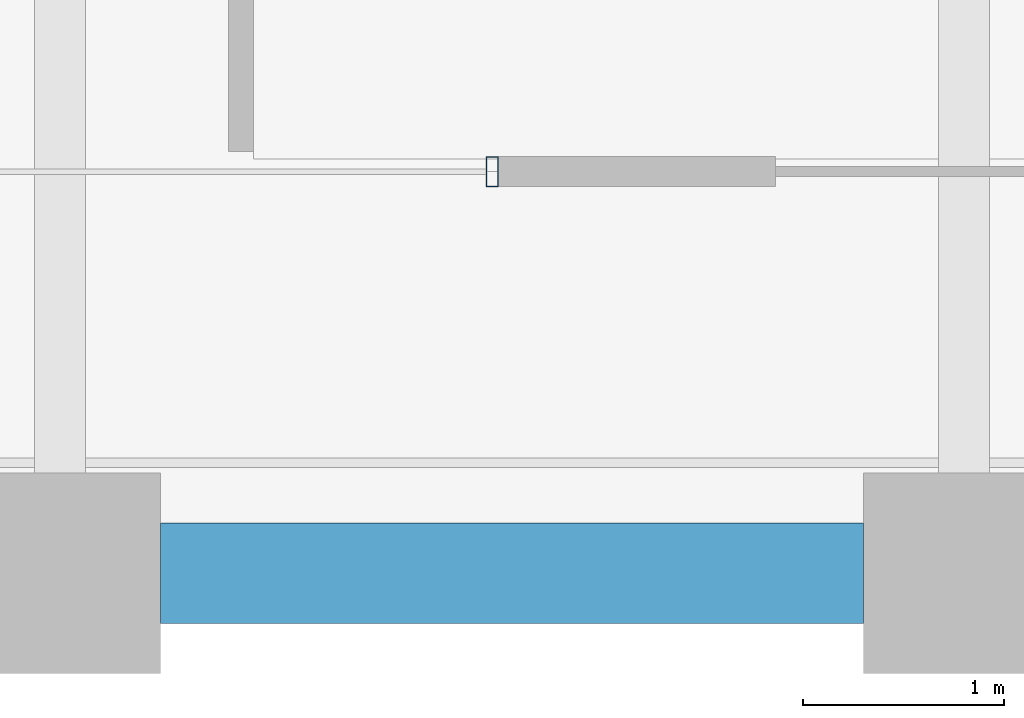
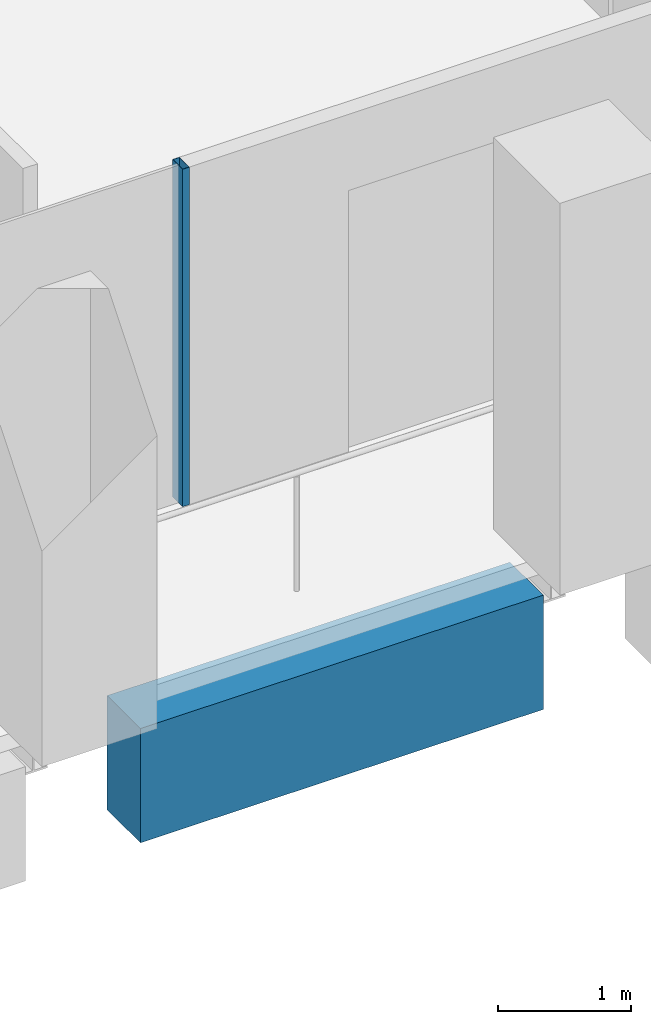
# One storey, part 7 of 46: 1 beam, 1 member, 1 element without a shape of its own.
"""IFC4 building model written with IfcOpenShell, lengths in metres."""

import ifcopenshell
import ifcopenshell.guid

model = None  # the IFC model being written
_history = None  # IfcOwnerHistory: only IFC2X3 demands one
_inside = {}  # id of a spatial element -> (the spatial element, [elements in it])
_under = {}  # id of a project, library or spatial element -> (it, [spatial elements below it])
_declared = {}  # id of a project -> (the project, [libraries it declares])
_typed = {}  # id of a type object -> (the type object, [elements of that type])
_made_of = {}  # id of a material, layer set ... -> (it, [elements and type objects made of it])


def new_model(schema):
    """Start an empty IFC model of exactly this schema.

    Asked for "IFC4X3", IfcOpenShell would pick the latest addendum, in which some entities
    have other attributes; the version numbers below select the first issue.
    IFC2X3 requires an IfcOwnerHistory on every rooted entity: one is made here for all.
    """
    global model, _history
    if schema == "IFC4X3":
        model = ifcopenshell.file(schema_version=(4, 3, 0, 0))
    else:
        model = ifcopenshell.file(schema=schema)
    _inside.clear()
    _under.clear()
    _declared.clear()
    _typed.clear()
    _made_of.clear()
    _history = None
    if model.schema == "IFC2X3":
        org = make("IfcOrganization", Name="unknown")
        user = make(
            "IfcPersonAndOrganization",
            ThePerson=make("IfcPerson", FamilyName="unknown"),
            TheOrganization=org,
        )
        app = make(
            "IfcApplication",
            ApplicationDeveloper=org,
            Version="unknown",
            ApplicationFullName="unknown",
            ApplicationIdentifier="unknown",
        )
        _history = make(
            "IfcOwnerHistory",
            OwningUser=user,
            OwningApplication=app,
            ChangeAction="ADDED",
            CreationDate=0,
        )
    return model


def make(cls, **values):
    """One entity of the class cls with the attributes given. An attribute that is None is left unset."""
    return model.create_entity(
        cls, **{name: value for name, value in values.items() if value is not None}
    )


def rooted(cls, **values):
    """An entity with a GlobalId (a new one), such as an element, a storey or a relation."""
    return make(cls, GlobalId=ifcopenshell.guid.new(), OwnerHistory=_history, **values)


def si_unit(unit_type, name, prefix=None):
    """IfcSIUnit, for example si_unit("LENGTHUNIT", "METRE", prefix="MILLI")."""
    return make("IfcSIUnit", UnitType=unit_type, Prefix=prefix, Name=name)


def assignment(units):
    """IfcUnitAssignment: the units of a project."""
    return None if units is None else make("IfcUnitAssignment", Units=units)


def point(xyz):
    """IfcCartesianPoint."""
    return None if xyz is None else make("IfcCartesianPoint", Coordinates=xyz)


def direction(xyz):
    """IfcDirection."""
    return None if xyz is None else make("IfcDirection", DirectionRatios=xyz)


def frame(location, z_axis=None, x_axis=None):
    """IfcAxis2Placement3D, a coordinate frame: its origin and axes. An axis left out is left unset."""
    return make(
        "IfcAxis2Placement3D",
        Location=point(location),
        Axis=direction(z_axis),
        RefDirection=direction(x_axis),
    )


def frame_2d(location, x_axis=None):
    """IfcAxis2Placement2D, a coordinate frame in the plane: its origin and x axis."""
    return make(
        "IfcAxis2Placement2D", Location=point(location), RefDirection=direction(x_axis)
    )


def origin():
    """The frame at (0, 0, 0) with its axes left unset."""
    return frame((0.0, 0.0, 0.0))


def origin_2d():
    """The frame at (0, 0) in the plane with its x axis left unset."""
    return frame_2d((0.0, 0.0))


def place(relative_to, where):
    """IfcLocalPlacement: puts the frame where relative to a parent placement (None: the world)."""
    return make(
        "IfcLocalPlacement", PlacementRelTo=relative_to, RelativePlacement=where
    )


def context(
    kind, dimensions, precision=None, world=None, true_north=None, identifier=None
):
    """IfcGeometricRepresentationContext, for example the 3D "Model" context."""
    return make(
        "IfcGeometricRepresentationContext",
        ContextIdentifier=identifier,
        ContextType=kind,
        CoordinateSpaceDimension=dimensions,
        Precision=precision,
        WorldCoordinateSystem=world,
        TrueNorth=true_north,
    )


def subcontext(parent, identifier, kind, view, scale=None):
    """IfcGeometricRepresentationSubContext, for example "Body" below "Model"."""
    return make(
        "IfcGeometricRepresentationSubContext",
        ContextIdentifier=identifier,
        ContextType=kind,
        ParentContext=parent,
        TargetScale=scale,
        TargetView=view,
    )


def project(units=None, contexts=None):
    """IfcProject with its units and contexts."""
    return rooted(
        "IfcProject",
        Name="project",
        RepresentationContexts=contexts,
        UnitsInContext=assignment(units),
    )


def spatial(cls, under=None, at=None, **own):
    """A site, building, storey or space (cls), placed at a placement, below another one or the project."""
    s = rooted(cls, ObjectPlacement=at, **own)
    if under is not None:
        _under.setdefault(under.id(), (under, []))[1].append(s)
    return s


def profile(cls, at=None, kind="AREA", **sizes):
    """A parametric profile (cls). Its sizes go by their IFC names, for example OverallWidth=200.0."""
    return make(cls, ProfileType=kind, Position=at, **sizes)


def rectangle(**sizes):
    """IfcRectangleProfileDef."""
    return profile("IfcRectangleProfileDef", **sizes)


def hollow_rectangle(**sizes):
    """IfcRectangleHollowProfileDef."""
    return profile("IfcRectangleHollowProfileDef", **sizes)


def extrude(swept, where, along, depth):
    """IfcExtrudedAreaSolid: the profile swept, set in the frame where, extruded along a direction by depth."""
    return make(
        "IfcExtrudedAreaSolid",
        SweptArea=swept,
        Position=where,
        ExtrudedDirection=direction(along),
        Depth=depth,
    )


def shape(context_of_items, identifier, shape_type, items):
    """IfcShapeRepresentation: the items that make up one representation, for example the "Body"."""
    return make(
        "IfcShapeRepresentation",
        ContextOfItems=context_of_items,
        RepresentationIdentifier=identifier,
        RepresentationType=shape_type,
        Items=items,
    )


def material(Name=None, Category=None):
    """IfcMaterial."""
    return make("IfcMaterial", Name=Name, Category=Category)


def material_profile(
    of_material, cross_section, Name=None, Category=None, Priority=None
):
    """IfcMaterialProfile: a cross section and its material."""
    return make(
        "IfcMaterialProfile",
        Name=Name,
        Material=of_material,
        Profile=cross_section,
        Priority=Priority,
        Category=Category,
    )


def profile_set(profiles, Name=None, composite=None):
    """IfcMaterialProfileSet."""
    return make(
        "IfcMaterialProfileSet",
        Name=Name,
        MaterialProfiles=profiles,
        CompositeProfile=composite,
    )


def made_of(thing, what):
    """Note that an element or type object is made of a material, layer set ...; save() writes the relation."""
    if what is not None:
        _made_of.setdefault(what.id(), (what, []))[1].append(thing)
    return thing


def type_object(cls, material=None, **own):
    """A type object (cls), such as IfcWallType, which elements share."""
    return made_of(rooted(cls, **own), material)


def element(
    cls,
    number,
    at=None,
    inside=None,
    cuts=None,
    type_object=None,
    material=None,
    context=None,
    identifier="Body",
    shape_type=None,
    held_by="IfcProductDefinitionShape",
    body=None,
    shapes=None,
    **own,
):
    """One element of the class cls, such as IfcWall. Its Tag is "e" and its number.

    at: its placement. inside: the storey or other place that contains it. cuts: it is an
    opening in that element (IfcRelVoidsElement). A single representation is given by context,
    identifier, shape_type and body (its items); several are given by shapes. held_by: the class
    of the entity that holds the representations. save() writes the other relations.
    """
    e = rooted(cls, Tag="e%d" % number, ObjectPlacement=at, **own)
    if body is not None:
        shapes = [shape(context, identifier, shape_type, body)]
    if shapes is not None:
        e.Representation = make(held_by, Representations=shapes)
    if inside is not None:
        _inside.setdefault(inside.id(), (inside, []))[1].append(e)
    if cuts is not None:
        rooted(
            "IfcRelVoidsElement", RelatingBuildingElement=cuts, RelatedOpeningElement=e
        )
    if type_object is not None:
        _typed.setdefault(type_object.id(), (type_object, []))[1].append(e)
    return made_of(e, material)


def aggregate(whole, parts):
    """IfcRelAggregates: a whole, such as a stair, and the parts it consists of."""
    return rooted("IfcRelAggregates", RelatingObject=whole, RelatedObjects=parts)


def save(model, path):
    """Write the relations noted so far, then the file.

    IfcRelAggregates (storeys below a building ...), IfcRelContainedInSpatialStructure (elements
    in a storey), IfcRelDefinesByType, IfcRelAssociatesMaterial and IfcRelDeclares: one each for
    every whole, place, type object, material and project.
    """
    for whole, parts in _under.values():
        aggregate(whole, parts)
    for where, things in _inside.values():
        rooted(
            "IfcRelContainedInSpatialStructure",
            RelatedElements=things,
            RelatingStructure=where,
        )
    for kind, things in _typed.values():
        rooted("IfcRelDefinesByType", RelatedObjects=things, RelatingType=kind)
    for what, things in _made_of.values():
        rooted("IfcRelAssociatesMaterial", RelatedObjects=things, RelatingMaterial=what)
    for by, libraries in _declared.values():
        rooted("IfcRelDeclares", RelatingContext=by, RelatedDefinitions=libraries)
    model.write(path)


model = new_model("IFC4")

# Units and contexts
model_context = context("Model", 3, precision=1e-05, world=origin(), true_north=direction((0.0, 1.0)))
body_context = subcontext(model_context, "Body", "Model", "MODEL_VIEW")
ifc_project = project(units=[si_unit("LENGTHUNIT", "METRE"), si_unit("AREAUNIT", "SQUARE_METRE"), si_unit("VOLUMEUNIT", "CUBIC_METRE"), si_unit("PLANEANGLEUNIT", "RADIAN"), si_unit("MASSUNIT", "GRAM", prefix="KILO")], contexts=[model_context])

# Site, building, storey
site_placement = place(None, origin())
site = spatial("IfcSite", under=ifc_project, at=site_placement, CompositionType="ELEMENT")
building_placement = place(site_placement, origin())
building = spatial("IfcBuilding", under=site, at=building_placement, Name="Altepetl Exchange Towers", CompositionType="ELEMENT")
storey_placement = place(building_placement, frame((0.0, 0.0, 131.60009765625)))
storey = spatial("IfcBuildingStorey", under=building, at=storey_placement, Name="L32", CompositionType="ELEMENT", Elevation=131.60009765625)

# Curtain wall, member
ifc_material_1 = material(Name="Aluminium 6063-T6 glazing", Category="aluminium")
curtain_wall_type = type_object("IfcCurtainWallType", Name="Loggia glazing system", PredefinedType="NOTDEFINED", material=ifc_material_1)
curtain_wall_placement = place(storey_placement, origin())
curtain_wall = element("IfcCurtainWall", 1, at=curtain_wall_placement, inside=storey, type_object=curtain_wall_type, Name="CW1 run", PredefinedType="NOTDEFINED")
ifc_material_2 = material(Name="Aluminium 6063-T6", Category="aluminium")
ifc_material_profile_1 = material_profile(ifc_material_2, hollow_rectangle(XDim=0.06005859375, YDim=0.14990234375, WallThickness=0.0029296875, at=origin_2d()), Name="Mullion 60x150 aluminium")
ifc_profile_set_1 = profile_set([ifc_material_profile_1], Name="Aluminium 6063-T6")
member_type = type_object("IfcMemberType", Name="Mullion 60x150 aluminium", PredefinedType="MULLION", material=ifc_profile_set_1)
member_placement = place(storey_placement, frame((47.152099609375, 29.0, 0.0)))
member = element("IfcMember", 2, at=member_placement, type_object=member_type, Name="MU1 mullion", PredefinedType="MULLION", context=body_context, shape_type="SweptSolid", body=[
    extrude(hollow_rectangle(XDim=0.06005859375, YDim=0.14990234375, WallThickness=0.0029296875, at=origin_2d()), origin(), (0.0, 0.0, 1.0), 3.099853515625),
])
aggregate(curtain_wall, [member])

# Beam
ifc_material_3 = material(Name="Concrete C50/60 precast with cantera blanca facing", Category="concrete")
ifc_material_profile_2 = material_profile(ifc_material_3, rectangle(XDim=0.5, YDim=1.050048828125, at=origin_2d()), Name="500 x 1050")
ifc_profile_set_2 = profile_set([ifc_material_profile_2], Name="Concrete C50/60 precast with cantera blanca facing")
beam_type = type_object("IfcBeamType", Name="Spandrel beam 500x1050 cantera blanca", PredefinedType="SPANDREL", material=ifc_profile_set_2)
beam_placement = place(storey_placement, frame((45.5, 27.0, -0.675048828125), z_axis=(1.0, 0.0, 0.0), x_axis=(0.0, 1.0, 0.0)))
element("IfcBeam", 3, at=beam_placement, inside=storey, type_object=beam_type, Name="sp:A:L32:003", PredefinedType="SPANDREL", context=body_context, shape_type="SweptSolid", body=[
    extrude(rectangle(XDim=0.5, YDim=1.050048828125, at=origin_2d()), origin(), (0.0, 0.0, 1.0), 3.5),
])

save(model, "model.ifc")
